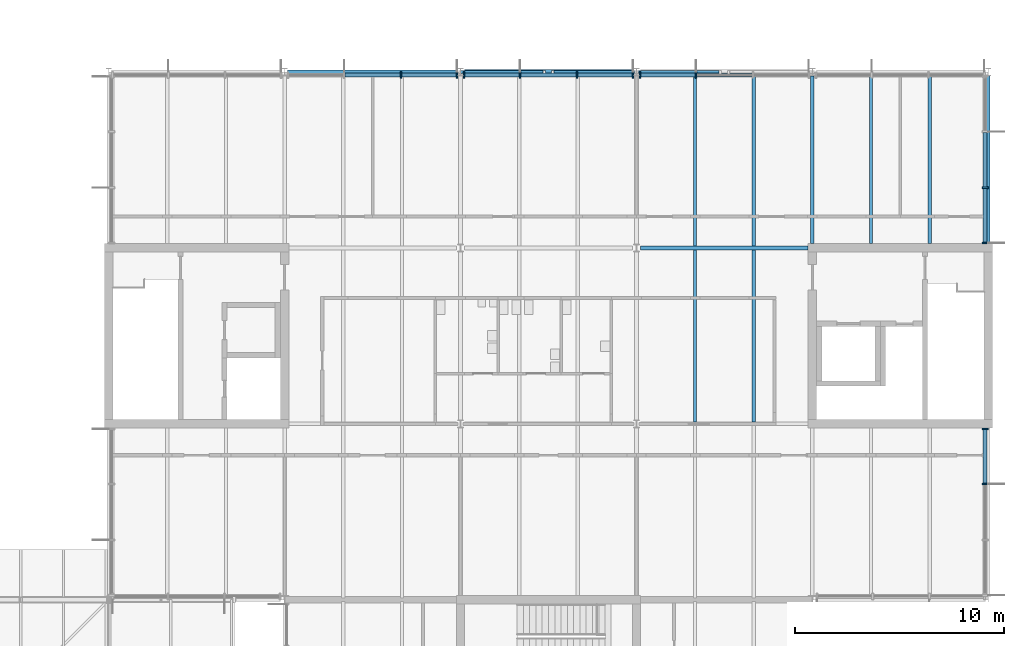
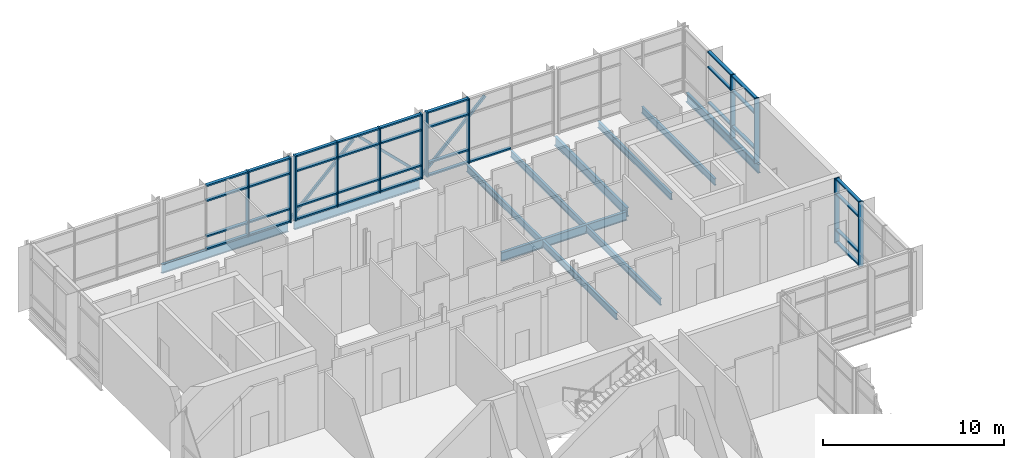
# One storey, part 25 of 76: 52 members, 11 beams, 5 elements without a shape of their own.
"""IFC4 building model written with IfcOpenShell, lengths in metres."""

from ifc_helpers import new_model, si_unit, direction, frame, origin, origin_2d, place, context, subcontext, project, spatial, rectangle, hollow_rectangle, i_section, extrude, material, material_profile, profile_set, type_object, element, aggregate, save


model = new_model("IFC4")

# Units and contexts
model_context = context("Model", 3, precision=1e-05, world=origin(), true_north=direction((0.0, 1.0)))
body_context = subcontext(model_context, "Body", "Model", "MODEL_VIEW")
ifc_project = project(units=[si_unit("LENGTHUNIT", "METRE"), si_unit("AREAUNIT", "SQUARE_METRE"), si_unit("VOLUMEUNIT", "CUBIC_METRE"), si_unit("PLANEANGLEUNIT", "RADIAN"), si_unit("MASSUNIT", "GRAM", prefix="KILO")], contexts=[model_context])

# Site, building, storey
site_placement = place(None, origin())
site = spatial("IfcSite", under=ifc_project, at=site_placement, CompositionType="ELEMENT")
building_placement = place(site_placement, origin())
building = spatial("IfcBuilding", under=site, at=building_placement, Name="Hlaing Beacon Police Headquarters", CompositionType="ELEMENT")
storey_placement = place(building_placement, frame((0.0, 0.0, 18.89990234375)))
storey = spatial("IfcBuildingStorey", under=building, at=storey_placement, Name="L04", CompositionType="ELEMENT", Elevation=18.89990234375)

# Members
ifc_material_1 = material(Name="Steel ASTM A500 Grade C", Category="steel")
ifc_material_profile_1 = material_profile(ifc_material_1, hollow_rectangle(XDim=0.15234375, YDim=0.15234375, WallThickness=0.009521484375, at=origin_2d()), Name="HSS6x6x3/8")
ifc_profile_set_1 = profile_set([ifc_material_profile_1], Name="Steel ASTM A500 Grade C")
member_type_1 = type_object("IfcMemberType", Name="Chevron brace HSS6x6x3/8", PredefinedType="BRACE", material=ifc_profile_set_1)
for number, where, z_axis, x_axis, name in (
    (1, (109.155029296875, 92.39990234375, 0.05419921875), (0.713429708771, 0.0, 0.700726801716), (0.0, 1.0, 0.0), "STR-BR-L04-12Pa"),
    (2, (117.64501953125, 92.39990234375, 0.05419921875), (-0.713429708771, 0.0, 0.700726801716), (0.0, -1.0, 0.0), "STR-BR-L04-12Pb"),
):
    element("IfcMember", number, at=place(storey_placement, frame(where, z_axis=z_axis, x_axis=x_axis)), inside=storey, type_object=member_type_1, Name=name, PredefinedType="BRACE", context=body_context, shape_type="SweptSolid", body=[
        extrude(hollow_rectangle(XDim=0.15234375, YDim=0.15234375, WallThickness=0.009521484375, at=origin_2d()), origin(), (0.0, 0.0, 1.0), 5.669677734375),
    ])
member_1_placement = place(storey_placement, frame((117.554931640625, 92.39990234375, 0.05419921875), z_axis=(0.713450851379, 0.0, 0.700705275182), x_axis=(0.0, 1.0, 0.0)))
element("IfcMember", 3, at=member_1_placement, inside=storey, type_object=member_type_1, Name="STR-BR-L04-12Qa", PredefinedType="BRACE", context=body_context, shape_type="SweptSolid", body=[
    extrude(hollow_rectangle(XDim=0.15234375, YDim=0.15234375, WallThickness=0.009521484375, at=origin_2d()), origin(), (0.0, 0.0, 1.0), 5.669921875),
])

# Beams
ifc_material_2 = material(Name="Steel ASTM A992 Grade 50", Category="steel")
ifc_material_profile_2 = material_profile(ifc_material_2, i_section(OverallWidth=0.177978515625, OverallDepth=0.599365234375, WebThickness=0.010009765625, FlangeThickness=0.012939453125, FilletRadius=0.012939453125, at=origin_2d()), Name="W24x55")
ifc_profile_set_2 = profile_set([ifc_material_profile_2], Name="Steel ASTM A992 Grade 50")
beam_type_1 = type_object("IfcBeamType", Name="Girder W24x55", PredefinedType="BEAM", material=ifc_profile_set_2)
beam_1_placement = place(storey_placement, frame((117.784912109375, 84.0, -0.4296875), z_axis=(1.0, 0.0, 0.0), x_axis=(0.0, 1.0, 0.0)))
element("IfcBeam", 4, at=beam_1_placement, inside=storey, type_object=beam_type_1, Name="STR-BM-L04-GX-Q11-R11", PredefinedType="BEAM", context=body_context, shape_type="SweptSolid", body=[
    extrude(i_section(OverallWidth=0.177978515625, OverallDepth=0.599365234375, WebThickness=0.010009765625, FlangeThickness=0.012939453125, FilletRadius=0.012939453125, at=origin_2d()), origin(), (0.0, 0.0, 1.0), 8.01513671875),
])
beam_2_placement = place(storey_placement, frame((100.927978515625, 92.39990234375, -0.4296875), z_axis=(1.0, 0.0, 0.0), x_axis=(0.0, 1.0, 0.0)))
element("IfcBeam", 5, at=beam_2_placement, inside=storey, type_object=beam_type_1, Name="STR-BM-L04-GX-N12-P12", PredefinedType="BEAM", context=body_context, shape_type="SweptSolid", body=[
    extrude(i_section(OverallWidth=0.177978515625, OverallDepth=0.599365234375, WebThickness=0.010009765625, FlangeThickness=0.012939453125, FilletRadius=0.012939453125, at=origin_2d()), origin(), (0.0, 0.0, 1.0), 8.0869140625),
])
beam_3_placement = place(storey_placement, frame((126.0, 84.199951171875, -0.4296875), z_axis=(0.0, 1.0, 0.0), x_axis=(-1.0, 0.0, 0.0)))
element("IfcBeam", 6, at=beam_3_placement, inside=storey, type_object=beam_type_1, Name="STR-BM-L04-GY-R11-R12", PredefinedType="BEAM", context=body_context, shape_type="SweptSolid", body=[
    extrude(i_section(OverallWidth=0.177978515625, OverallDepth=0.599365234375, WebThickness=0.010009765625, FlangeThickness=0.012939453125, FilletRadius=0.012939453125, at=origin_2d()), origin(), (0.0, 0.0, 1.0), 8.02001953125),
])
beam_4_placement = place(storey_placement, frame((134.39990234375, 84.199951171875, -0.4296875), z_axis=(0.0, 1.0, 0.0), x_axis=(-1.0, 0.0, 0.0)))
element("IfcBeam", 7, at=beam_4_placement, inside=storey, type_object=beam_type_1, Name="STR-BM-L04-GY-S11-S12", PredefinedType="BEAM", context=body_context, shape_type="SweptSolid", body=[
    extrude(i_section(OverallWidth=0.177978515625, OverallDepth=0.599365234375, WebThickness=0.010009765625, FlangeThickness=0.012939453125, FilletRadius=0.012939453125, at=origin_2d()), origin(), (0.0, 0.0, 1.0), 8.02294921875),
])
ifc_material_3 = material(Name="Steel ASTM A992 Grade 50", Category="steel")
ifc_material_profile_3 = material_profile(ifc_material_3, i_section(OverallWidth=0.227783203125, OverallDepth=0.60205078125, WebThickness=0.010498046875, FlangeThickness=0.014892578125, FilletRadius=0.012939453125, at=origin_2d()), Name="W24x68")
ifc_profile_set_3 = profile_set([ifc_material_profile_3], Name="Steel ASTM A992 Grade 50")
beam_type_2 = type_object("IfcBeamType", Name="Girder W24x68", PredefinedType="BEAM", material=ifc_profile_set_3)
beam_5_placement = place(storey_placement, frame((109.385009765625, 92.39990234375, -0.430908203125), z_axis=(1.0, 0.0, 0.0), x_axis=(0.0, 1.0, 0.0)))
element("IfcBeam", 8, at=beam_5_placement, inside=storey, type_object=beam_type_2, Name="STR-BM-L04-GX-P12-Q12", PredefinedType="BEAM", context=body_context, shape_type="SweptSolid", body=[
    extrude(i_section(OverallWidth=0.227783203125, OverallDepth=0.60205078125, WebThickness=0.010498046875, FlangeThickness=0.014892578125, FilletRadius=0.012939453125, at=origin_2d()), origin(), (0.0, 0.0, 1.0), 8.030029296875),
])

# Curtain wall, members
ifc_material_4 = material(Name="Aluminium frame with solar control glazing", Category="aluminium")
curtain_wall_type_1 = type_object("IfcCurtainWallType", Name="Structural glazed gable wall 8.02 x 4.37", PredefinedType="NOTDEFINED", material=ifc_material_4)
curtain_wall_1_placement = place(storey_placement, origin())
curtain_wall_1 = element("IfcCurtainWall", 9, at=curtain_wall_1_placement, inside=storey, type_object=curtain_wall_type_1, Name="ENV-CW-L04-E009", PredefinedType="NOTDEFINED")
ifc_material_5 = material(Name="Aluminium", Category="aluminium")
ifc_material_profile_4 = material_profile(ifc_material_5, rectangle(XDim=0.300048828125, YDim=0.080078125, at=origin_2d()), Name="Mullion 80x300")
ifc_profile_set_4 = profile_set([ifc_material_profile_4], Name="Aluminium")
member_type_2 = type_object("IfcMemberType", Name="Mullion 80x300", PredefinedType="MULLION", material=ifc_profile_set_4)
member_2_placement = place(storey_placement, frame((134.25, 72.7255859375, 0.0), z_axis=(0.0, 0.0, 1.0), x_axis=(-1.0, 0.0, 0.0)))
member_2 = element("IfcMember", 10, at=member_2_placement, type_object=member_type_2, Name="CW-L04-E009 mullion 3", PredefinedType="MULLION", context=body_context, shape_type="SweptSolid", body=[
    extrude(rectangle(XDim=0.300048828125, YDim=0.080078125, at=origin_2d()), origin(), (0.0, 0.0, 1.0), 4.3701171875),
])
member_3_placement = place(storey_placement, frame((134.25, 75.360107421875, 0.0), z_axis=(0.0, 0.0, 1.0), x_axis=(-1.0, 0.0, 0.0)))
member_3 = element("IfcMember", 11, at=member_3_placement, type_object=member_type_2, Name="CW-L04-E009 mullion 4", PredefinedType="MULLION", context=body_context, shape_type="SweptSolid", body=[
    extrude(rectangle(XDim=0.300048828125, YDim=0.080078125, at=origin_2d()), origin(), (0.0, 0.0, 1.0), 4.3701171875),
])

curtain_wall_2_placement = place(storey_placement, origin())
curtain_wall_2 = element("IfcCurtainWall", 12, at=curtain_wall_2_placement, inside=storey, type_object=curtain_wall_type_1, Name="ENV-CW-L04-E010", PredefinedType="NOTDEFINED")
member_4_placement = place(storey_placement, frame((134.25, 84.239990234375, 0.0), z_axis=(0.0, 0.0, 1.0), x_axis=(-1.0, 0.0, 0.0)))
member_4 = element("IfcMember", 13, at=member_4_placement, type_object=member_type_2, Name="CW-L04-E010 mullion 1", PredefinedType="MULLION", context=body_context, shape_type="SweptSolid", body=[
    extrude(rectangle(XDim=0.300048828125, YDim=0.080078125, at=origin_2d()), origin(), (0.0, 0.0, 1.0), 4.3701171875),
])
member_5_placement = place(storey_placement, frame((134.25, 86.87451171875, 0.0), z_axis=(0.0, 0.0, 1.0), x_axis=(-1.0, 0.0, 0.0)))
member_5 = element("IfcMember", 14, at=member_5_placement, type_object=member_type_2, Name="CW-L04-E010 mullion 2", PredefinedType="MULLION", context=body_context, shape_type="SweptSolid", body=[
    extrude(rectangle(XDim=0.300048828125, YDim=0.080078125, at=origin_2d()), origin(), (0.0, 0.0, 1.0), 4.3701171875),
])

ifc_material_6 = material(Name="Aluminium frame with solar control glazing", Category="aluminium")
curtain_wall_type_2 = type_object("IfcCurtainWallType", Name="Structural glazed gable wall 8.14 x 4.37", PredefinedType="NOTDEFINED", material=ifc_material_6)
curtain_wall_3_placement = place(storey_placement, origin())
curtain_wall_3 = element("IfcCurtainWall", 15, at=curtain_wall_3_placement, inside=storey, type_object=curtain_wall_type_2, Name="ENV-CW-L04-N012", PredefinedType="NOTDEFINED")
member_6_placement = place(storey_placement, frame((120.44287109375, 92.25, 0.0), z_axis=(0.0, 0.0, 1.0), x_axis=(0.0, -1.0, 0.0)))
member_6 = element("IfcMember", 16, at=member_6_placement, type_object=member_type_2, Name="CW-L04-N012 mullion 3", PredefinedType="MULLION", context=body_context, shape_type="SweptSolid", body=[
    extrude(rectangle(XDim=0.300048828125, YDim=0.080078125, at=origin_2d()), origin(), (0.0, 0.0, 1.0), 4.3701171875),
])
member_7_placement = place(storey_placement, frame((117.768310546875, 92.25, 0.0), z_axis=(0.0, 0.0, 1.0), x_axis=(0.0, -1.0, 0.0)))
member_7 = element("IfcMember", 17, at=member_7_placement, type_object=member_type_2, Name="CW-L04-N012 mullion 4", PredefinedType="MULLION", context=body_context, shape_type="SweptSolid", body=[
    extrude(rectangle(XDim=0.300048828125, YDim=0.080078125, at=origin_2d()), origin(), (0.0, 0.0, 1.0), 4.3701171875),
])

curtain_wall_4_placement = place(storey_placement, origin())
curtain_wall_4 = element("IfcCurtainWall", 18, at=curtain_wall_4_placement, inside=storey, type_object=curtain_wall_type_2, Name="ENV-CW-L04-N013", PredefinedType="NOTDEFINED")
member_8_placement = place(storey_placement, frame((117.431640625, 92.25, 0.0), z_axis=(0.0, 0.0, 1.0), x_axis=(0.0, -1.0, 0.0)))
member_8 = element("IfcMember", 19, at=member_8_placement, type_object=member_type_2, Name="CW-L04-N013 mullion 1", PredefinedType="MULLION", context=body_context, shape_type="SweptSolid", body=[
    extrude(rectangle(XDim=0.300048828125, YDim=0.080078125, at=origin_2d()), origin(), (0.0, 0.0, 1.0), 4.3701171875),
])
member_9_placement = place(storey_placement, frame((114.75732421875, 92.25, 0.0), z_axis=(0.0, 0.0, 1.0), x_axis=(0.0, -1.0, 0.0)))
member_9 = element("IfcMember", 20, at=member_9_placement, type_object=member_type_2, Name="CW-L04-N013 mullion 2", PredefinedType="MULLION", context=body_context, shape_type="SweptSolid", body=[
    extrude(rectangle(XDim=0.300048828125, YDim=0.080078125, at=origin_2d()), origin(), (0.0, 0.0, 1.0), 4.3701171875),
])
member_10_placement = place(storey_placement, frame((112.042724609375, 92.25, 0.0), z_axis=(0.0, 0.0, 1.0), x_axis=(0.0, -1.0, 0.0)))
member_10 = element("IfcMember", 21, at=member_10_placement, type_object=member_type_2, Name="CW-L04-N013 mullion 3", PredefinedType="MULLION", context=body_context, shape_type="SweptSolid", body=[
    extrude(rectangle(XDim=0.300048828125, YDim=0.080078125, at=origin_2d()), origin(), (0.0, 0.0, 1.0), 4.3701171875),
])
member_11_placement = place(storey_placement, frame((109.368408203125, 92.25, 0.0), z_axis=(0.0, 0.0, 1.0), x_axis=(0.0, -1.0, 0.0)))
member_11 = element("IfcMember", 22, at=member_11_placement, type_object=member_type_2, Name="CW-L04-N013 mullion 4", PredefinedType="MULLION", context=body_context, shape_type="SweptSolid", body=[
    extrude(rectangle(XDim=0.300048828125, YDim=0.080078125, at=origin_2d()), origin(), (0.0, 0.0, 1.0), 4.3701171875),
])

curtain_wall_5_placement = place(storey_placement, origin())
curtain_wall_5 = element("IfcCurtainWall", 23, at=curtain_wall_5_placement, inside=storey, type_object=curtain_wall_type_2, Name="ENV-CW-L04-N014", PredefinedType="NOTDEFINED")
member_12_placement = place(storey_placement, frame((109.03173828125, 92.25, 0.0), z_axis=(0.0, 0.0, 1.0), x_axis=(0.0, -1.0, 0.0)))
member_12 = element("IfcMember", 24, at=member_12_placement, type_object=member_type_2, Name="CW-L04-N014 mullion 1", PredefinedType="MULLION", context=body_context, shape_type="SweptSolid", body=[
    extrude(rectangle(XDim=0.300048828125, YDim=0.080078125, at=origin_2d()), origin(), (0.0, 0.0, 1.0), 4.3701171875),
])
member_13_placement = place(storey_placement, frame((106.356689453125, 92.25, 0.0), z_axis=(0.0, 0.0, 1.0), x_axis=(0.0, -1.0, 0.0)))
member_13 = element("IfcMember", 25, at=member_13_placement, type_object=member_type_2, Name="CW-L04-N014 mullion 2", PredefinedType="MULLION", context=body_context, shape_type="SweptSolid", body=[
    extrude(rectangle(XDim=0.300048828125, YDim=0.080078125, at=origin_2d()), origin(), (0.0, 0.0, 1.0), 4.3701171875),
])

# Beams
ifc_material_7 = material(Name="Steel ASTM A992 Grade 50", Category="steel")
ifc_material_profile_5 = material_profile(ifc_material_7, i_section(OverallWidth=0.15234375, OverallDepth=0.449462890625, WebThickness=0.007568359375, FlangeThickness=0.0107421875, FilletRadius=0.01025390625, at=origin_2d()), Name="W18x35")
ifc_profile_set_5 = profile_set([ifc_material_profile_5], Name="Steel ASTM A992 Grade 50")
beam_type_3 = type_object("IfcBeamType", Name="Secondary beam W18x35", PredefinedType="BEAM", material=ifc_profile_set_5)
for number, where, z_axis, x_axis, name in (
    (26, (120.39990234375, 75.68896484375, -0.354736328125), (0.0, 1.0, 0.0), (-1.0, 0.0, 0.0), "STR-BM-L04-SB-Q10-y1"),
    (27, (123.199951171875, 75.68896484375, -0.354736328125), (0.0, 1.0, 0.0), (-1.0, 0.0, 0.0), "STR-BM-L04-SB-Q10-y2"),
):
    element("IfcBeam", number, at=place(storey_placement, frame(where, z_axis=z_axis, x_axis=x_axis)), inside=storey, type_object=beam_type_3, Name=name, PredefinedType="BEAM", context=body_context, shape_type="SweptSolid", body=[
        extrude(i_section(OverallWidth=0.15234375, OverallDepth=0.449462890625, WebThickness=0.007568359375, FlangeThickness=0.0107421875, FilletRadius=0.01025390625, at=origin_2d()), origin(), (0.0, 0.0, 1.0), 8.221923828125),
    ])
for number, where, z_axis, x_axis, name in (
    (28, (120.39990234375, 84.089111328125, -0.354736328125), (0.0, 1.0, 0.0), (-1.0, 0.0, 0.0), "STR-BM-L04-SB-Q11-y1"),
    (29, (123.199951171875, 84.089111328125, -0.354736328125), (0.0, 1.0, 0.0), (-1.0, 0.0, 0.0), "STR-BM-L04-SB-Q11-y2"),
):
    element("IfcBeam", number, at=place(storey_placement, frame(where, z_axis=z_axis, x_axis=x_axis)), inside=storey, type_object=beam_type_3, Name=name, PredefinedType="BEAM", context=body_context, shape_type="SweptSolid", body=[
        extrude(i_section(OverallWidth=0.15234375, OverallDepth=0.449462890625, WebThickness=0.007568359375, FlangeThickness=0.0107421875, FilletRadius=0.01025390625, at=origin_2d()), origin(), (0.0, 0.0, 1.0), 8.19677734375),
    ])
for number, where, z_axis, x_axis, name in (
    (30, (128.800048828125, 84.199951171875, -0.354736328125), (0.0, 1.0, 0.0), (-1.0, 0.0, 0.0), "STR-BM-L04-SB-R11-y1"),
    (31, (131.60009765625, 84.199951171875, -0.354736328125), (0.0, 1.0, 0.0), (-1.0, 0.0, 0.0), "STR-BM-L04-SB-R11-y2"),
):
    element("IfcBeam", number, at=place(storey_placement, frame(where, z_axis=z_axis, x_axis=x_axis)), inside=storey, type_object=beam_type_3, Name=name, PredefinedType="BEAM", context=body_context, shape_type="SweptSolid", body=[
        extrude(i_section(OverallWidth=0.15234375, OverallDepth=0.449462890625, WebThickness=0.007568359375, FlangeThickness=0.0107421875, FilletRadius=0.01025390625, at=origin_2d()), origin(), (0.0, 0.0, 1.0), 8.111083984375),
    ])

# Member
ifc_material_8 = material(Name="Aluminium", Category="aluminium")
ifc_material_profile_6 = material_profile(ifc_material_8, rectangle(XDim=0.199951171875, YDim=0.10009765625, at=origin_2d()), Name="Transom 200x100")
ifc_profile_set_6 = profile_set([ifc_material_profile_6], Name="Aluminium")
member_type_3 = type_object("IfcMemberType", Name="Transom 200x100", PredefinedType="USERDEFINED", material=ifc_profile_set_6)
member_14_placement = place(storey_placement, frame((134.25, 72.765380859375, 0.050048828125), z_axis=(0.0, 1.0, 0.0), x_axis=(-1.0, 0.0, 0.0)))
member_14 = element("IfcMember", 32, at=member_14_placement, type_object=member_type_3, Name="CW-L04-E009 transom 3.1", ObjectType="TRANSOM", PredefinedType="USERDEFINED", context=body_context, shape_type="SweptSolid", body=[
    extrude(rectangle(XDim=0.199951171875, YDim=0.10009765625, at=origin_2d()), origin(), (0.0, 0.0, 1.0), 2.5546875),
])

member_15_placement = place(storey_placement, frame((134.25, 72.765380859375, 0.900146484375), z_axis=(0.0, 1.0, 0.0), x_axis=(-1.0, 0.0, 0.0)))
member_15 = element("IfcMember", 33, at=member_15_placement, type_object=member_type_3, Name="CW-L04-E009 transom 3.2", ObjectType="TRANSOM", PredefinedType="USERDEFINED", context=body_context, shape_type="SweptSolid", body=[
    extrude(rectangle(XDim=0.199951171875, YDim=0.10009765625, at=origin_2d()), origin(), (0.0, 0.0, 1.0), 2.5546875),
])

member_16_placement = place(storey_placement, frame((134.25, 72.765380859375, 3.300048828125), z_axis=(0.0, 1.0, 0.0), x_axis=(-1.0, 0.0, 0.0)))
member_16 = element("IfcMember", 34, at=member_16_placement, type_object=member_type_3, Name="CW-L04-E009 transom 3.3", ObjectType="TRANSOM", PredefinedType="USERDEFINED", context=body_context, shape_type="SweptSolid", body=[
    extrude(rectangle(XDim=0.199951171875, YDim=0.10009765625, at=origin_2d()), origin(), (0.0, 0.0, 1.0), 2.5546875),
])

member_17_placement = place(storey_placement, frame((134.25, 72.765380859375, 4.320068359375), z_axis=(0.0, 1.0, 0.0), x_axis=(-1.0, 0.0, 0.0)))
member_17 = element("IfcMember", 35, at=member_17_placement, type_object=member_type_3, Name="CW-L04-E009 transom 3.4", ObjectType="TRANSOM", PredefinedType="USERDEFINED", context=body_context, shape_type="SweptSolid", body=[
    extrude(rectangle(XDim=0.199951171875, YDim=0.10009765625, at=origin_2d()), origin(), (0.0, 0.0, 1.0), 2.5546875),
])

aggregate(curtain_wall_1, [member_2, member_3, member_14, member_15, member_16, member_17])

member_18_placement = place(storey_placement, frame((134.25, 84.280029296875, 0.050048828125), z_axis=(0.0, 1.0, 0.0), x_axis=(-1.0, 0.0, 0.0)))
member_18 = element("IfcMember", 36, at=member_18_placement, type_object=member_type_3, Name="CW-L04-E010 transom 1.1", ObjectType="TRANSOM", PredefinedType="USERDEFINED", context=body_context, shape_type="SweptSolid", body=[
    extrude(rectangle(XDim=0.199951171875, YDim=0.10009765625, at=origin_2d()), origin(), (0.0, 0.0, 1.0), 2.554443359375),
])

member_19_placement = place(storey_placement, frame((134.25, 84.280029296875, 0.900146484375), z_axis=(0.0, 1.0, 0.0), x_axis=(-1.0, 0.0, 0.0)))
member_19 = element("IfcMember", 37, at=member_19_placement, type_object=member_type_3, Name="CW-L04-E010 transom 1.2", ObjectType="TRANSOM", PredefinedType="USERDEFINED", context=body_context, shape_type="SweptSolid", body=[
    extrude(rectangle(XDim=0.199951171875, YDim=0.10009765625, at=origin_2d()), origin(), (0.0, 0.0, 1.0), 2.554443359375),
])

member_20_placement = place(storey_placement, frame((134.25, 84.280029296875, 3.300048828125), z_axis=(0.0, 1.0, 0.0), x_axis=(-1.0, 0.0, 0.0)))
member_20 = element("IfcMember", 38, at=member_20_placement, type_object=member_type_3, Name="CW-L04-E010 transom 1.3", ObjectType="TRANSOM", PredefinedType="USERDEFINED", context=body_context, shape_type="SweptSolid", body=[
    extrude(rectangle(XDim=0.199951171875, YDim=0.10009765625, at=origin_2d()), origin(), (0.0, 0.0, 1.0), 2.554443359375),
])

member_21_placement = place(storey_placement, frame((134.25, 84.280029296875, 4.320068359375), z_axis=(0.0, 1.0, 0.0), x_axis=(-1.0, 0.0, 0.0)))
member_21 = element("IfcMember", 39, at=member_21_placement, type_object=member_type_3, Name="CW-L04-E010 transom 1.4", ObjectType="TRANSOM", PredefinedType="USERDEFINED", context=body_context, shape_type="SweptSolid", body=[
    extrude(rectangle(XDim=0.199951171875, YDim=0.10009765625, at=origin_2d()), origin(), (0.0, 0.0, 1.0), 2.554443359375),
])

member_22_placement = place(storey_placement, frame((134.25, 86.91455078125, 0.050048828125), z_axis=(0.0, 1.0, 0.0), x_axis=(-1.0, 0.0, 0.0)))
member_22 = element("IfcMember", 40, at=member_22_placement, type_object=member_type_3, Name="CW-L04-E010 transom 2.1", ObjectType="TRANSOM", PredefinedType="USERDEFINED", context=body_context, shape_type="SweptSolid", body=[
    extrude(rectangle(XDim=0.199951171875, YDim=0.10009765625, at=origin_2d()), origin(), (0.0, 0.0, 1.0), 2.594482421875),
])

member_23_placement = place(storey_placement, frame((134.25, 86.91455078125, 0.900146484375), z_axis=(0.0, 1.0, 0.0), x_axis=(-1.0, 0.0, 0.0)))
member_23 = element("IfcMember", 41, at=member_23_placement, type_object=member_type_3, Name="CW-L04-E010 transom 2.2", ObjectType="TRANSOM", PredefinedType="USERDEFINED", context=body_context, shape_type="SweptSolid", body=[
    extrude(rectangle(XDim=0.199951171875, YDim=0.10009765625, at=origin_2d()), origin(), (0.0, 0.0, 1.0), 2.594482421875),
])

member_24_placement = place(storey_placement, frame((134.25, 86.91455078125, 3.300048828125), z_axis=(0.0, 1.0, 0.0), x_axis=(-1.0, 0.0, 0.0)))
member_24 = element("IfcMember", 42, at=member_24_placement, type_object=member_type_3, Name="CW-L04-E010 transom 2.3", ObjectType="TRANSOM", PredefinedType="USERDEFINED", context=body_context, shape_type="SweptSolid", body=[
    extrude(rectangle(XDim=0.199951171875, YDim=0.10009765625, at=origin_2d()), origin(), (0.0, 0.0, 1.0), 2.594482421875),
])

member_25_placement = place(storey_placement, frame((134.25, 86.91455078125, 4.320068359375), z_axis=(0.0, 1.0, 0.0), x_axis=(-1.0, 0.0, 0.0)))
member_25 = element("IfcMember", 43, at=member_25_placement, type_object=member_type_3, Name="CW-L04-E010 transom 2.4", ObjectType="TRANSOM", PredefinedType="USERDEFINED", context=body_context, shape_type="SweptSolid", body=[
    extrude(rectangle(XDim=0.199951171875, YDim=0.10009765625, at=origin_2d()), origin(), (0.0, 0.0, 1.0), 2.594482421875),
])

aggregate(curtain_wall_2, [member_4, member_5, member_18, member_19, member_20, member_21, member_22, member_23, member_24, member_25])

member_26_placement = place(storey_placement, frame((123.1171875, 92.25, 0.050048828125), z_axis=(-1.0, 0.0, 0.0), x_axis=(0.0, -1.0, 0.0)))
member_26 = element("IfcMember", 44, at=member_26_placement, type_object=member_type_3, Name="CW-L04-N012 transom 2.1", ObjectType="TRANSOM", PredefinedType="USERDEFINED", context=body_context, shape_type="SweptSolid", body=[
    extrude(rectangle(XDim=0.199951171875, YDim=0.10009765625, at=origin_2d()), origin(), (0.0, 0.0, 1.0), 2.634521484375),
])

member_27_placement = place(storey_placement, frame((120.40283203125, 92.25, 0.050048828125), z_axis=(-1.0, 0.0, 0.0), x_axis=(0.0, -1.0, 0.0)))
member_27 = element("IfcMember", 45, at=member_27_placement, type_object=member_type_3, Name="CW-L04-N012 transom 3.1", ObjectType="TRANSOM", PredefinedType="USERDEFINED", context=body_context, shape_type="SweptSolid", body=[
    extrude(rectangle(XDim=0.199951171875, YDim=0.10009765625, at=origin_2d()), origin(), (0.0, 0.0, 1.0), 2.594482421875),
])

member_28_placement = place(storey_placement, frame((120.40283203125, 92.25, 0.900146484375), z_axis=(-1.0, 0.0, 0.0), x_axis=(0.0, -1.0, 0.0)))
member_28 = element("IfcMember", 46, at=member_28_placement, type_object=member_type_3, Name="CW-L04-N012 transom 3.2", ObjectType="TRANSOM", PredefinedType="USERDEFINED", context=body_context, shape_type="SweptSolid", body=[
    extrude(rectangle(XDim=0.199951171875, YDim=0.10009765625, at=origin_2d()), origin(), (0.0, 0.0, 1.0), 2.594482421875),
])

member_29_placement = place(storey_placement, frame((120.40283203125, 92.25, 3.300048828125), z_axis=(-1.0, 0.0, 0.0), x_axis=(0.0, -1.0, 0.0)))
member_29 = element("IfcMember", 47, at=member_29_placement, type_object=member_type_3, Name="CW-L04-N012 transom 3.3", ObjectType="TRANSOM", PredefinedType="USERDEFINED", context=body_context, shape_type="SweptSolid", body=[
    extrude(rectangle(XDim=0.199951171875, YDim=0.10009765625, at=origin_2d()), origin(), (0.0, 0.0, 1.0), 2.594482421875),
])

member_30_placement = place(storey_placement, frame((120.40283203125, 92.25, 4.320068359375), z_axis=(-1.0, 0.0, 0.0), x_axis=(0.0, -1.0, 0.0)))
member_30 = element("IfcMember", 48, at=member_30_placement, type_object=member_type_3, Name="CW-L04-N012 transom 3.4", ObjectType="TRANSOM", PredefinedType="USERDEFINED", context=body_context, shape_type="SweptSolid", body=[
    extrude(rectangle(XDim=0.199951171875, YDim=0.10009765625, at=origin_2d()), origin(), (0.0, 0.0, 1.0), 2.594482421875),
])

aggregate(curtain_wall_3, [member_6, member_7, member_26, member_27, member_28, member_29, member_30])

member_31_placement = place(storey_placement, frame((117.3916015625, 92.25, 0.050048828125), z_axis=(-1.0, 0.0, 0.0), x_axis=(0.0, -1.0, 0.0)))
member_31 = element("IfcMember", 49, at=member_31_placement, type_object=member_type_3, Name="CW-L04-N013 transom 1.1", ObjectType="TRANSOM", PredefinedType="USERDEFINED", context=body_context, shape_type="SweptSolid", body=[
    extrude(rectangle(XDim=0.199951171875, YDim=0.10009765625, at=origin_2d()), origin(), (0.0, 0.0, 1.0), 2.594482421875),
])

member_32_placement = place(storey_placement, frame((117.3916015625, 92.25, 0.900146484375), z_axis=(-1.0, 0.0, 0.0), x_axis=(0.0, -1.0, 0.0)))
member_32 = element("IfcMember", 50, at=member_32_placement, type_object=member_type_3, Name="CW-L04-N013 transom 1.2", ObjectType="TRANSOM", PredefinedType="USERDEFINED", context=body_context, shape_type="SweptSolid", body=[
    extrude(rectangle(XDim=0.199951171875, YDim=0.10009765625, at=origin_2d()), origin(), (0.0, 0.0, 1.0), 2.594482421875),
])

member_33_placement = place(storey_placement, frame((117.3916015625, 92.25, 3.300048828125), z_axis=(-1.0, 0.0, 0.0), x_axis=(0.0, -1.0, 0.0)))
member_33 = element("IfcMember", 51, at=member_33_placement, type_object=member_type_3, Name="CW-L04-N013 transom 1.3", ObjectType="TRANSOM", PredefinedType="USERDEFINED", context=body_context, shape_type="SweptSolid", body=[
    extrude(rectangle(XDim=0.199951171875, YDim=0.10009765625, at=origin_2d()), origin(), (0.0, 0.0, 1.0), 2.594482421875),
])

member_34_placement = place(storey_placement, frame((117.3916015625, 92.25, 4.320068359375), z_axis=(-1.0, 0.0, 0.0), x_axis=(0.0, -1.0, 0.0)))
member_34 = element("IfcMember", 52, at=member_34_placement, type_object=member_type_3, Name="CW-L04-N013 transom 1.4", ObjectType="TRANSOM", PredefinedType="USERDEFINED", context=body_context, shape_type="SweptSolid", body=[
    extrude(rectangle(XDim=0.199951171875, YDim=0.10009765625, at=origin_2d()), origin(), (0.0, 0.0, 1.0), 2.594482421875),
])

member_35_placement = place(storey_placement, frame((114.71728515625, 92.25, 0.050048828125), z_axis=(-1.0, 0.0, 0.0), x_axis=(0.0, -1.0, 0.0)))
member_35 = element("IfcMember", 53, at=member_35_placement, type_object=member_type_3, Name="CW-L04-N013 transom 2.1", ObjectType="TRANSOM", PredefinedType="USERDEFINED", context=body_context, shape_type="SweptSolid", body=[
    extrude(rectangle(XDim=0.199951171875, YDim=0.10009765625, at=origin_2d()), origin(), (0.0, 0.0, 1.0), 2.634521484375),
])

member_36_placement = place(storey_placement, frame((114.71728515625, 92.25, 0.900146484375), z_axis=(-1.0, 0.0, 0.0), x_axis=(0.0, -1.0, 0.0)))
member_36 = element("IfcMember", 54, at=member_36_placement, type_object=member_type_3, Name="CW-L04-N013 transom 2.2", ObjectType="TRANSOM", PredefinedType="USERDEFINED", context=body_context, shape_type="SweptSolid", body=[
    extrude(rectangle(XDim=0.199951171875, YDim=0.10009765625, at=origin_2d()), origin(), (0.0, 0.0, 1.0), 2.634521484375),
])

member_37_placement = place(storey_placement, frame((114.71728515625, 92.25, 3.300048828125), z_axis=(-1.0, 0.0, 0.0), x_axis=(0.0, -1.0, 0.0)))
member_37 = element("IfcMember", 55, at=member_37_placement, type_object=member_type_3, Name="CW-L04-N013 transom 2.3", ObjectType="TRANSOM", PredefinedType="USERDEFINED", context=body_context, shape_type="SweptSolid", body=[
    extrude(rectangle(XDim=0.199951171875, YDim=0.10009765625, at=origin_2d()), origin(), (0.0, 0.0, 1.0), 2.634521484375),
])

member_38_placement = place(storey_placement, frame((114.71728515625, 92.25, 4.320068359375), z_axis=(-1.0, 0.0, 0.0), x_axis=(0.0, -1.0, 0.0)))
member_38 = element("IfcMember", 56, at=member_38_placement, type_object=member_type_3, Name="CW-L04-N013 transom 2.4", ObjectType="TRANSOM", PredefinedType="USERDEFINED", context=body_context, shape_type="SweptSolid", body=[
    extrude(rectangle(XDim=0.199951171875, YDim=0.10009765625, at=origin_2d()), origin(), (0.0, 0.0, 1.0), 2.634521484375),
])

member_39_placement = place(storey_placement, frame((112.002685546875, 92.25, 0.050048828125), z_axis=(-1.0, 0.0, 0.0), x_axis=(0.0, -1.0, 0.0)))
member_39 = element("IfcMember", 57, at=member_39_placement, type_object=member_type_3, Name="CW-L04-N013 transom 3.1", ObjectType="TRANSOM", PredefinedType="USERDEFINED", context=body_context, shape_type="SweptSolid", body=[
    extrude(rectangle(XDim=0.199951171875, YDim=0.10009765625, at=origin_2d()), origin(), (0.0, 0.0, 1.0), 2.594482421875),
])

member_40_placement = place(storey_placement, frame((112.002685546875, 92.25, 0.900146484375), z_axis=(-1.0, 0.0, 0.0), x_axis=(0.0, -1.0, 0.0)))
member_40 = element("IfcMember", 58, at=member_40_placement, type_object=member_type_3, Name="CW-L04-N013 transom 3.2", ObjectType="TRANSOM", PredefinedType="USERDEFINED", context=body_context, shape_type="SweptSolid", body=[
    extrude(rectangle(XDim=0.199951171875, YDim=0.10009765625, at=origin_2d()), origin(), (0.0, 0.0, 1.0), 2.594482421875),
])

member_41_placement = place(storey_placement, frame((112.002685546875, 92.25, 3.300048828125), z_axis=(-1.0, 0.0, 0.0), x_axis=(0.0, -1.0, 0.0)))
member_41 = element("IfcMember", 59, at=member_41_placement, type_object=member_type_3, Name="CW-L04-N013 transom 3.3", ObjectType="TRANSOM", PredefinedType="USERDEFINED", context=body_context, shape_type="SweptSolid", body=[
    extrude(rectangle(XDim=0.199951171875, YDim=0.10009765625, at=origin_2d()), origin(), (0.0, 0.0, 1.0), 2.594482421875),
])

member_42_placement = place(storey_placement, frame((112.002685546875, 92.25, 4.320068359375), z_axis=(-1.0, 0.0, 0.0), x_axis=(0.0, -1.0, 0.0)))
member_42 = element("IfcMember", 60, at=member_42_placement, type_object=member_type_3, Name="CW-L04-N013 transom 3.4", ObjectType="TRANSOM", PredefinedType="USERDEFINED", context=body_context, shape_type="SweptSolid", body=[
    extrude(rectangle(XDim=0.199951171875, YDim=0.10009765625, at=origin_2d()), origin(), (0.0, 0.0, 1.0), 2.594482421875),
])

aggregate(curtain_wall_4, [member_8, member_9, member_10, member_11, member_31, member_32, member_33, member_34, member_35, member_36, member_37, member_38, member_39, member_40, member_41, member_42])

member_43_placement = place(storey_placement, frame((108.99169921875, 92.25, 0.050048828125), z_axis=(-1.0, 0.0, 0.0), x_axis=(0.0, -1.0, 0.0)))
member_43 = element("IfcMember", 61, at=member_43_placement, type_object=member_type_3, Name="CW-L04-N014 transom 1.1", ObjectType="TRANSOM", PredefinedType="USERDEFINED", context=body_context, shape_type="SweptSolid", body=[
    extrude(rectangle(XDim=0.199951171875, YDim=0.10009765625, at=origin_2d()), origin(), (0.0, 0.0, 1.0), 2.594970703125),
])

member_44_placement = place(storey_placement, frame((108.99169921875, 92.25, 0.900146484375), z_axis=(-1.0, 0.0, 0.0), x_axis=(0.0, -1.0, 0.0)))
member_44 = element("IfcMember", 62, at=member_44_placement, type_object=member_type_3, Name="CW-L04-N014 transom 1.2", ObjectType="TRANSOM", PredefinedType="USERDEFINED", context=body_context, shape_type="SweptSolid", body=[
    extrude(rectangle(XDim=0.199951171875, YDim=0.10009765625, at=origin_2d()), origin(), (0.0, 0.0, 1.0), 2.594970703125),
])

member_45_placement = place(storey_placement, frame((108.99169921875, 92.25, 3.300048828125), z_axis=(-1.0, 0.0, 0.0), x_axis=(0.0, -1.0, 0.0)))
member_45 = element("IfcMember", 63, at=member_45_placement, type_object=member_type_3, Name="CW-L04-N014 transom 1.3", ObjectType="TRANSOM", PredefinedType="USERDEFINED", context=body_context, shape_type="SweptSolid", body=[
    extrude(rectangle(XDim=0.199951171875, YDim=0.10009765625, at=origin_2d()), origin(), (0.0, 0.0, 1.0), 2.594970703125),
])

member_46_placement = place(storey_placement, frame((108.99169921875, 92.25, 4.320068359375), z_axis=(-1.0, 0.0, 0.0), x_axis=(0.0, -1.0, 0.0)))
member_46 = element("IfcMember", 64, at=member_46_placement, type_object=member_type_3, Name="CW-L04-N014 transom 1.4", ObjectType="TRANSOM", PredefinedType="USERDEFINED", context=body_context, shape_type="SweptSolid", body=[
    extrude(rectangle(XDim=0.199951171875, YDim=0.10009765625, at=origin_2d()), origin(), (0.0, 0.0, 1.0), 2.594970703125),
])

member_47_placement = place(storey_placement, frame((106.31689453125, 92.25, 0.050048828125), z_axis=(-1.0, 0.0, 0.0), x_axis=(0.0, -1.0, 0.0)))
member_47 = element("IfcMember", 65, at=member_47_placement, type_object=member_type_3, Name="CW-L04-N014 transom 2.1", ObjectType="TRANSOM", PredefinedType="USERDEFINED", context=body_context, shape_type="SweptSolid", body=[
    extrude(rectangle(XDim=0.199951171875, YDim=0.10009765625, at=origin_2d()), origin(), (0.0, 0.0, 1.0), 2.635009765625),
])

member_48_placement = place(storey_placement, frame((106.31689453125, 92.25, 0.900146484375), z_axis=(-1.0, 0.0, 0.0), x_axis=(0.0, -1.0, 0.0)))
member_48 = element("IfcMember", 66, at=member_48_placement, type_object=member_type_3, Name="CW-L04-N014 transom 2.2", ObjectType="TRANSOM", PredefinedType="USERDEFINED", context=body_context, shape_type="SweptSolid", body=[
    extrude(rectangle(XDim=0.199951171875, YDim=0.10009765625, at=origin_2d()), origin(), (0.0, 0.0, 1.0), 2.635009765625),
])

member_49_placement = place(storey_placement, frame((106.31689453125, 92.25, 3.300048828125), z_axis=(-1.0, 0.0, 0.0), x_axis=(0.0, -1.0, 0.0)))
member_49 = element("IfcMember", 67, at=member_49_placement, type_object=member_type_3, Name="CW-L04-N014 transom 2.3", ObjectType="TRANSOM", PredefinedType="USERDEFINED", context=body_context, shape_type="SweptSolid", body=[
    extrude(rectangle(XDim=0.199951171875, YDim=0.10009765625, at=origin_2d()), origin(), (0.0, 0.0, 1.0), 2.635009765625),
])

member_50_placement = place(storey_placement, frame((106.31689453125, 92.25, 4.320068359375), z_axis=(-1.0, 0.0, 0.0), x_axis=(0.0, -1.0, 0.0)))
member_50 = element("IfcMember", 68, at=member_50_placement, type_object=member_type_3, Name="CW-L04-N014 transom 2.4", ObjectType="TRANSOM", PredefinedType="USERDEFINED", context=body_context, shape_type="SweptSolid", body=[
    extrude(rectangle(XDim=0.199951171875, YDim=0.10009765625, at=origin_2d()), origin(), (0.0, 0.0, 1.0), 2.635009765625),
])

aggregate(curtain_wall_5, [member_12, member_13, member_43, member_44, member_45, member_46, member_47, member_48, member_49, member_50])

save(model, "model.ifc")
